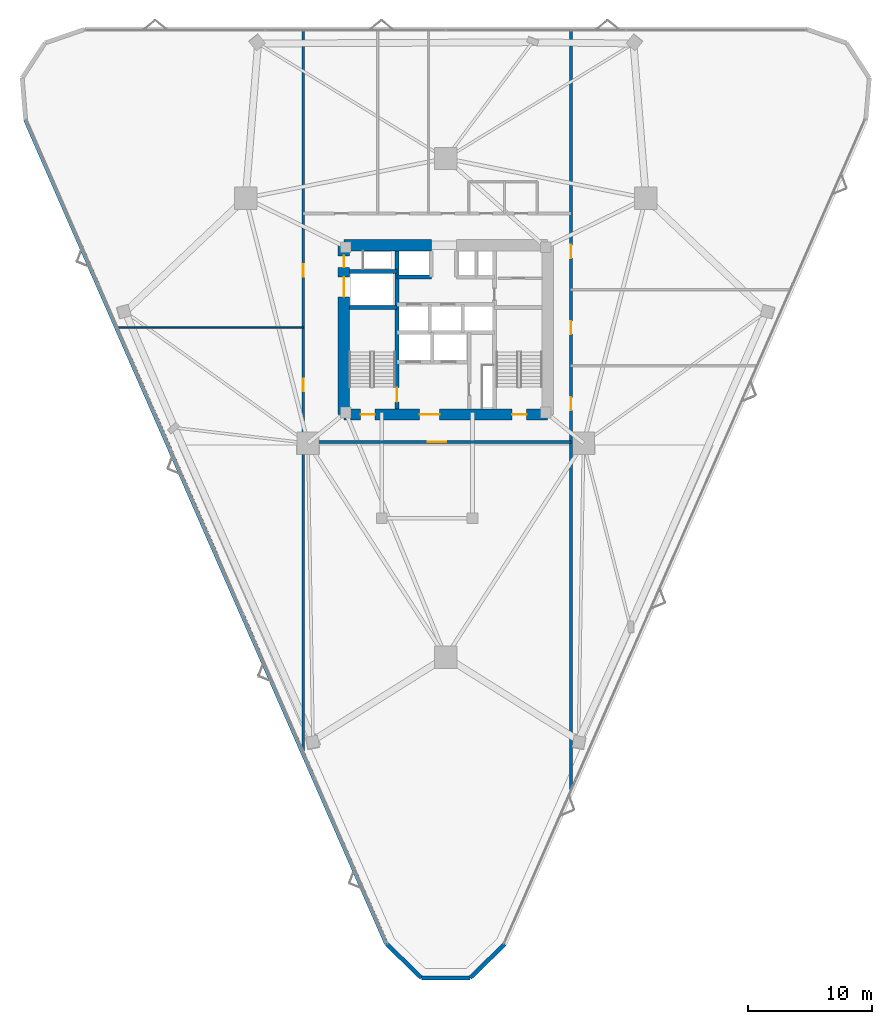
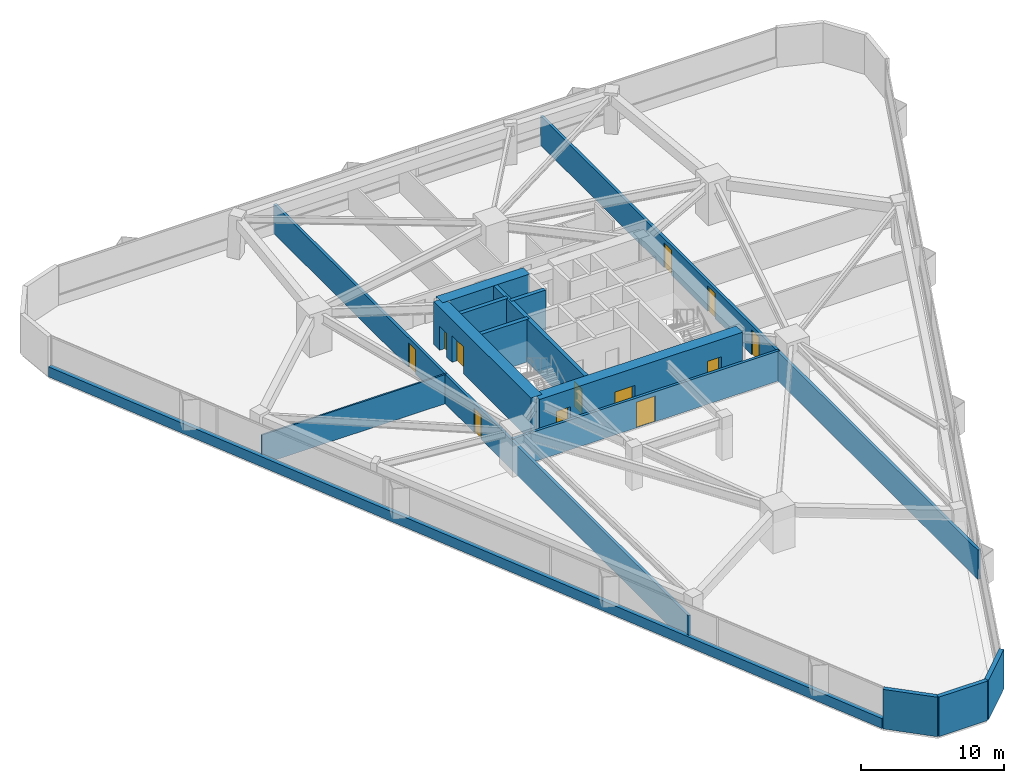
# One storey, part 17 of 21: 15 walls, 12 doors, 12 openings.
"""IFC4 building model written with IfcOpenShell, lengths in metres."""

from ifc_helpers import new_model, si_unit, direction, frame, frame_2d, origin, place, context, subcontext, project, spatial, rectangle, extrude, material, layer, layer_set, type_object, element, fill, save


model = new_model("IFC4")

# Units and contexts
model_context = context("Model", 3, precision=1e-05, world=origin(), true_north=direction((0.0, 1.0)))
body_context = subcontext(model_context, "Body", "Model", "MODEL_VIEW")
ifc_project = project(units=[si_unit("LENGTHUNIT", "METRE"), si_unit("AREAUNIT", "SQUARE_METRE"), si_unit("VOLUMEUNIT", "CUBIC_METRE"), si_unit("PLANEANGLEUNIT", "RADIAN"), si_unit("MASSUNIT", "GRAM", prefix="KILO")], contexts=[model_context])

# Site, building, storey
site_placement = place(None, origin())
site = spatial("IfcSite", under=ifc_project, at=site_placement, CompositionType="ELEMENT")
building_placement = place(site_placement, origin())
building = spatial("IfcBuilding", under=site, at=building_placement, Name="Talyreon Biosciences Tower", CompositionType="ELEMENT")
storey_placement = place(building_placement, frame((0.0, 0.0, 33.75)))
storey = spatial("IfcBuildingStorey", under=building, at=storey_placement, Name="L08", CompositionType="ELEMENT", Elevation=33.75)

# Wall, opening, door
ifc_material_1 = material(Name="Concrete C50/60", Category="concrete")
ifc_layer_1 = layer(ifc_material_1, 0.320068359375)
ifc_layer_set_1 = layer_set([ifc_layer_1], Name="Concrete C50/60")
wall_type_1 = type_object("IfcWallType", Name="CoreShearWall_320", PredefinedType="SHEAR", material=ifc_layer_set_1)
wall_1_placement = place(storey_placement, frame((62.090087890625, 61.64990234375, 0.0), z_axis=(0.0, 0.0, 1.0), x_axis=(0.0, 1.0, 0.0)))
wall_1 = element("IfcWall", 1, at=wall_1_placement, inside=storey, type_object=wall_type_1, Name="L08 Core Shaft Wall SW1E", PredefinedType="SHEAR", context=body_context, shape_type="SweptSolid", body=[
    extrude(rectangle(XDim=12.7001953125, YDim=0.320068359375, at=frame_2d((6.35009765625, 0.0))), origin(), (0.0, 0.0, 1.0), 3.64990234375),
])
opening_1_placement = place(wall_1_placement, frame((0.550048828125, 0.0, 0.0)))
opening_1 = element("IfcOpeningElement", 2, at=opening_1_placement, cuts=wall_1, Name="Opening DR-L08-FF-ST1", PredefinedType="OPENING", context=body_context, shape_type="SweptSolid", body=[
    extrude(rectangle(XDim=1.14990234375, YDim=2.14990234375, at=frame_2d((0.574951171875, 1.074951171875))), frame((0.0, 0.169921875, 0.0), z_axis=(0.0, -1.0, 0.0), x_axis=(1.0, 0.0, 0.0)), (0.0, 0.0, 1.0), 0.340087890625),
])
ifc_material_2 = material(Name="Painted steel fire door", Category="steel")
door_type_1 = type_object("IfcDoorType", Name="StairShaftFireDoor_1150x2150", OperationType="NOTDEFINED", PredefinedType="DOOR", material=ifc_material_2)
door_1_placement = place(opening_1_placement, origin())
door_1 = element("IfcDoor", 3, at=door_1_placement, inside=storey, type_object=door_type_1, Name="L08 Core Door DR-L08-FF-ST1", OperationType="SINGLE_SWING_LEFT", OverallHeight=2.14990234375, OverallWidth=1.14990234375, PredefinedType="DOOR", context=body_context, shape_type="SweptSolid", body=[
    extrude(rectangle(XDim=1.14990234375, YDim=2.14990234375, at=frame_2d((0.574951171875, 1.074951171875))), frame((0.0, 0.02490234375, 0.0), z_axis=(0.0, -1.0, 0.0), x_axis=(1.0, 0.0, 0.0)), (0.0, 0.0, 1.0), 0.050048828125),
])
fill(opening_1, door_1)

# Walls
for number, where, z_axis, x_axis, name in (
    (4, (58.25, 69.81005859375, 0.0), (0.0, 0.0, 1.0), (1.0, 0.0, 0.0), "L08 Core Shaft Wall SW1N"),
    (5, (58.25, 72.699951171875, 0.0), (0.0, 0.0, 1.0), (1.0, 0.0, 0.0), "L08 Core Shaft Wall SWGLN"),
):
    element("IfcWall", number, at=place(storey_placement, frame(where, z_axis=z_axis, x_axis=x_axis)), inside=storey, type_object=wall_type_1, Name=name, PredefinedType="SHEAR", context=body_context, shape_type="SweptSolid", body=[
        extrude(rectangle(XDim=3.840087890625, YDim=0.320068359375, at=frame_2d((1.919921875, 0.0))), origin(), (0.0, 0.0, 1.0), 3.64990234375),
    ])
wall_2_placement = place(storey_placement, frame((62.090087890625, 72.25, 0.0), z_axis=(0.0, 0.0, 1.0), x_axis=(1.0, 0.0, 0.0)))
element("IfcWall", 6, at=wall_2_placement, inside=storey, type_object=wall_type_1, Name="L08 Core Shaft Wall SWNPW", PredefinedType="SHEAR", context=body_context, shape_type="SweptSolid", body=[
    extrude(rectangle(XDim=2.760009765625, YDim=0.320068359375, at=frame_2d((1.3798828125, 0.0))), origin(), (0.0, 0.0, 1.0), 3.64990234375),
])

# Wall, openings, doors
ifc_material_3 = material(Name="Concrete C60/75", Category="concrete")
ifc_layer_2 = layer(ifc_material_3, 0.89990234375)
ifc_layer_set_2 = layer_set([ifc_layer_2], Name="Concrete C60/75")
wall_type_2 = type_object("IfcWallType", Name="CoreShearWall_900", PredefinedType="SHEAR", material=ifc_layer_set_2)
wall_3_placement = place(storey_placement, frame((57.800048828125, 61.199951171875, 0.0), z_axis=(0.0, 0.0, 1.0), x_axis=(1.0, 0.0, 0.0)))
wall_3 = element("IfcWall", 7, at=wall_3_placement, inside=storey, type_object=wall_type_2, Name="L08 Core Shear Wall S", PredefinedType="SHEAR", context=body_context, shape_type="SweptSolid", body=[
    extrude(rectangle(XDim=16.39990234375, YDim=0.89990234375, at=frame_2d((8.199951171875, 0.0))), origin(), (0.0, 0.0, 1.0), 3.64990234375),
])
opening_2_placement = place(wall_3_placement, frame((1.35009765625, 0.0, 0.0)))
opening_2 = element("IfcOpeningElement", 8, at=opening_2_placement, cuts=wall_3, Name="Opening DR-L08-ST1", PredefinedType="OPENING", context=body_context, shape_type="SweptSolid", body=[
    extrude(rectangle(XDim=1.14990234375, YDim=2.14990234375, at=frame_2d((0.574951171875, 1.074951171875))), frame((0.0, 0.4599609375, 0.0), z_axis=(0.0, -1.0, 0.0), x_axis=(1.0, 0.0, 0.0)), (0.0, 0.0, 1.0), 0.919921875),
])
opening_3_placement = place(wall_3_placement, frame((6.10009765625, 0.0, 0.0)))
opening_3 = element("IfcOpeningElement", 9, at=opening_3_placement, cuts=wall_3, Name="Opening DR-L08-FFL", PredefinedType="OPENING", context=body_context, shape_type="SweptSolid", body=[
    extrude(rectangle(XDim=1.60009765625, YDim=2.14990234375, at=frame_2d((0.800048828125, 1.074951171875))), frame((0.0, 0.4599609375, 0.0), z_axis=(0.0, -1.0, 0.0), x_axis=(1.0, 0.0, 0.0)), (0.0, 0.0, 1.0), 0.919921875),
])
opening_4_placement = place(wall_3_placement, frame((13.550048828125, 0.0, 0.0)))
opening_4 = element("IfcOpeningElement", 10, at=opening_4_placement, cuts=wall_3, Name="Opening DR-L08-ST2", PredefinedType="OPENING", context=body_context, shape_type="SweptSolid", body=[
    extrude(rectangle(XDim=1.14990234375, YDim=2.14990234375, at=frame_2d((0.574951171875, 1.074951171875))), frame((0.0, 0.4599609375, 0.0), z_axis=(0.0, -1.0, 0.0), x_axis=(1.0, 0.0, 0.0)), (0.0, 0.0, 1.0), 0.919921875),
])
ifc_material_4 = material(Name="Painted steel smoke-seal fire door", Category="steel")
door_type_2 = type_object("IfcDoorType", Name="FirefightingLobbyDoubleDoor_1600x2150", OperationType="DOUBLE_DOOR_SINGLE_SWING", PredefinedType="DOOR", material=ifc_material_4)
door_2_placement = place(opening_3_placement, origin())
door_2 = element("IfcDoor", 11, at=door_2_placement, inside=storey, type_object=door_type_2, Name="L08 Core Door DR-L08-FFL", OperationType="DOUBLE_DOOR_SINGLE_SWING", OverallHeight=2.14990234375, OverallWidth=1.60009765625, PredefinedType="DOOR", context=body_context, shape_type="SweptSolid", body=[
    extrude(rectangle(XDim=1.60009765625, YDim=2.14990234375, at=frame_2d((0.800048828125, 1.074951171875))), frame((0.0, 0.02490234375, 0.0), z_axis=(0.0, -1.0, 0.0), x_axis=(1.0, 0.0, 0.0)), (0.0, 0.0, 1.0), 0.050048828125),
])
fill(opening_3, door_2)
door_3_placement = place(opening_2_placement, origin())
door_3 = element("IfcDoor", 12, at=door_3_placement, inside=storey, type_object=door_type_1, Name="L08 Core Door DR-L08-ST1", OperationType="SINGLE_SWING_LEFT", OverallHeight=2.14990234375, OverallWidth=1.14990234375, PredefinedType="DOOR", context=body_context, shape_type="SweptSolid", body=[
    extrude(rectangle(XDim=1.14990234375, YDim=2.14990234375, at=frame_2d((0.574951171875, 1.074951171875))), frame((0.0, 0.02490234375, 0.0), z_axis=(0.0, -1.0, 0.0), x_axis=(1.0, 0.0, 0.0)), (0.0, 0.0, 1.0), 0.050048828125),
])
fill(opening_2, door_3)
door_4_placement = place(opening_4_placement, origin())
door_4 = element("IfcDoor", 13, at=door_4_placement, inside=storey, type_object=door_type_1, Name="L08 Core Door DR-L08-ST2", OperationType="SINGLE_SWING_RIGHT", OverallHeight=2.14990234375, OverallWidth=1.14990234375, PredefinedType="DOOR", context=body_context, shape_type="SweptSolid", body=[
    extrude(rectangle(XDim=1.14990234375, YDim=2.14990234375, at=frame_2d((0.574951171875, 1.074951171875))), frame((0.0, 0.02490234375, 0.0), z_axis=(0.0, -1.0, 0.0), x_axis=(1.0, 0.0, 0.0)), (0.0, 0.0, 1.0), 0.050048828125),
])
fill(opening_4, door_4)

# Wall
wall_4_placement = place(storey_placement, frame((64.85009765625, 74.800048828125, 0.0), z_axis=(0.0, 0.0, 1.0), x_axis=(-1.0, 0.0, 0.0)))
element("IfcWall", 14, at=wall_4_placement, inside=storey, type_object=wall_type_2, Name="L08 Core Shear Wall NW", PredefinedType="SHEAR", context=body_context, shape_type="SweptSolid", body=[
    extrude(rectangle(XDim=7.050048828125, YDim=0.89990234375, at=frame_2d((3.52490234375, 0.0))), origin(), (0.0, 0.0, 1.0), 3.64990234375),
])

# Wall, openings, doors
wall_5_placement = place(storey_placement, frame((57.800048828125, 74.800048828125, 0.0), z_axis=(0.0, 0.0, 1.0), x_axis=(0.0, -1.0, 0.0)))
wall_5 = element("IfcWall", 15, at=wall_5_placement, inside=storey, type_object=wall_type_2, Name="L08 Core Shear Wall W", PredefinedType="SHEAR", context=body_context, shape_type="SweptSolid", body=[
    extrude(rectangle(XDim=13.60009765625, YDim=0.89990234375, at=frame_2d((6.800048828125, 0.0))), origin(), (0.0, 0.0, 1.0), 3.64990234375),
])
opening_5_placement = place(wall_5_placement, frame((0.85009765625, 0.0, 0.0)))
opening_5 = element("IfcOpeningElement", 16, at=opening_5_placement, cuts=wall_5, Name="Opening DR-L08-RSW", PredefinedType="OPENING", context=body_context, shape_type="SweptSolid", body=[
    extrude(rectangle(XDim=0.919921875, YDim=2.050048828125, at=frame_2d((0.4599609375, 1.02490234375))), frame((0.0, 0.4599609375, 0.0), z_axis=(0.0, -1.0, 0.0), x_axis=(1.0, 0.0, 0.0)), (0.0, 0.0, 1.0), 0.919921875),
])
opening_6_placement = place(wall_5_placement, frame((2.550048828125, 0.0, 0.0)))
opening_6 = element("IfcOpeningElement", 17, at=opening_6_placement, cuts=wall_5, Name="Opening LD-L08-GL1", PredefinedType="OPENING", context=body_context, shape_type="SweptSolid", body=[
    extrude(rectangle(XDim=1.60009765625, YDim=2.300048828125, at=frame_2d((0.800048828125, 1.14990234375))), frame((0.0, 0.4599609375, 0.0), z_axis=(0.0, -1.0, 0.0), x_axis=(1.0, 0.0, 0.0)), (0.0, 0.0, 1.0), 0.919921875),
])
ifc_material_5 = material(Name="Heavy-duty stainless-steel goods lift door", Category="steel")
door_type_3 = type_object("IfcDoorType", Name="GoodsLiftSlidingDoor_1600x2300", OperationType="DOUBLE_DOOR_SLIDING", PredefinedType="DOOR", material=ifc_material_5)
door_5_placement = place(opening_6_placement, origin())
door_5 = element("IfcDoor", 18, at=door_5_placement, inside=storey, type_object=door_type_3, Name="L08 Core Door LD-L08-GL1", OperationType="DOUBLE_DOOR_SLIDING", OverallHeight=2.300048828125, OverallWidth=1.60009765625, PredefinedType="DOOR", context=body_context, shape_type="SweptSolid", body=[
    extrude(rectangle(XDim=1.60009765625, YDim=2.300048828125, at=frame_2d((0.800048828125, 1.14990234375))), frame((0.0, 0.02490234375, 0.0), z_axis=(0.0, -1.0, 0.0), x_axis=(1.0, 0.0, 0.0)), (0.0, 0.0, 1.0), 0.050048828125),
])
fill(opening_6, door_5)
ifc_material_6 = material(Name="Painted steel fire-rated riser door", Category="steel")
door_type_4 = type_object("IfcDoorType", Name="RiserPlantAccessDoor_920x2050", OperationType="NOTDEFINED", PredefinedType="DOOR", material=ifc_material_6)
door_6_placement = place(opening_5_placement, origin())
door_6 = element("IfcDoor", 19, at=door_6_placement, inside=storey, type_object=door_type_4, Name="L08 Core Door DR-L08-RSW", OperationType="SINGLE_SWING_LEFT", OverallHeight=2.050048828125, OverallWidth=0.919921875, PredefinedType="DOOR", context=body_context, shape_type="SweptSolid", body=[
    extrude(rectangle(XDim=0.919921875, YDim=2.050048828125, at=frame_2d((0.4599609375, 1.02490234375))), frame((0.0, 0.02490234375, 0.0), z_axis=(0.0, -1.0, 0.0), x_axis=(1.0, 0.0, 0.0)), (0.0, 0.0, 1.0), 0.050048828125),
])
fill(opening_5, door_6)

# Wall, opening, door
ifc_material_7 = material(Name="Gypsum fireboard acoustic stud", Category="gypsum")
ifc_layer_3 = layer(ifc_material_7, 0.219970703125)
ifc_layer_set_3 = layer_set([ifc_layer_3], Name="Gypsum fireboard acoustic stud")
wall_type_3 = type_object("IfcWallType", Name="CorridorRatedPartition_220", PredefinedType="PARTITIONING", material=ifc_layer_set_3)
wall_6_placement = place(storey_placement, frame((54.530029296875, 58.97998046875, 0.0), z_axis=(0.0, 0.0, 1.0), x_axis=(1.0, 0.0, 0.0)))
wall_6 = element("IfcWall", 20, at=wall_6_placement, inside=storey, type_object=wall_type_3, Name="L08 Interior Wall IW-L08-COR-S", PredefinedType="PARTITIONING", context=body_context, shape_type="SweptSolid", body=[
    extrude(rectangle(XDim=21.5400390625, YDim=0.219970703125, at=frame_2d((10.77001953125, 0.0))), origin(), (0.0, 0.0, 1.0), 2.554931640625),
])
opening_7_placement = place(wall_6_placement, frame((10.02001953125, 0.0, 0.0)))
opening_7 = element("IfcOpeningElement", 21, at=opening_7_placement, cuts=wall_6, Name="Opening DR-L08-S1A", PredefinedType="OPENING", context=body_context, shape_type="SweptSolid", body=[
    extrude(rectangle(XDim=1.5, YDim=2.199951171875, at=frame_2d((0.75, 1.10009765625))), frame((0.0, 0.119873046875, 0.0), z_axis=(0.0, -1.0, 0.0), x_axis=(1.0, 0.0, 0.0)), (0.0, 0.0, 1.0), 0.239990234375),
])
ifc_material_8 = material(Name="Vision-panel steel laboratory fire door", Category="steel")
door_type_5 = type_object("IfcDoorType", Name="WetLabDoubleLeafDoor_1500x2200", OperationType="DOUBLE_DOOR_SINGLE_SWING", PredefinedType="DOOR", material=ifc_material_8)
door_7_placement = place(opening_7_placement, origin())
door_7 = element("IfcDoor", 22, at=door_7_placement, inside=storey, type_object=door_type_5, Name="L08 Interior Door DR-L08-S1A", OperationType="DOUBLE_DOOR_SINGLE_SWING", OverallHeight=2.199951171875, OverallWidth=1.5, PredefinedType="DOOR", context=body_context, shape_type="SweptSolid", body=[
    extrude(rectangle(XDim=1.5, YDim=2.199951171875, at=frame_2d((0.75, 1.10009765625))), frame((0.0, 0.02490234375, 0.0), z_axis=(0.0, -1.0, 0.0), x_axis=(1.0, 0.0, 0.0)), (0.0, 0.0, 1.0), 0.050048828125),
])
fill(opening_7, door_7)

# Wall, openings, doors
wall_7_placement = place(storey_placement, frame((54.530029296875, 34.11328125, 0.0), z_axis=(0.0, 0.0, 1.0), x_axis=(0.0, 1.0, 0.0)))
wall_7 = element("IfcWall", 23, at=wall_7_placement, inside=storey, type_object=wall_type_3, Name="L08 Interior Wall IW-L08-COR-W", PredefinedType="PARTITIONING", context=body_context, shape_type="SweptSolid", body=[
    extrude(rectangle(XDim=57.9892578125, YDim=0.219970703125, at=frame_2d((28.99462890625, 0.0))), origin(), (0.0, 0.0, 1.0), 2.5048828125),
])
opening_8_placement = place(wall_7_placement, frame((28.964111328125, 0.0, 0.0)))
opening_8 = element("IfcOpeningElement", 24, at=opening_8_placement, cuts=wall_7, Name="Opening DR-L08-W1A", PredefinedType="OPENING", context=body_context, shape_type="SweptSolid", body=[
    extrude(rectangle(XDim=1.0, YDim=2.10009765625, at=frame_2d((0.5, 1.050048828125))), frame((0.0, 0.119873046875, 0.0), z_axis=(0.0, -1.0, 0.0), x_axis=(1.0, 0.0, 0.0)), (0.0, 0.0, 1.0), 0.239990234375),
])
opening_9_placement = place(wall_7_placement, frame((38.158935546875, 0.0, 0.0)))
opening_9 = element("IfcOpeningElement", 25, at=opening_9_placement, cuts=wall_7, Name="Opening DR-L08-W2A", PredefinedType="OPENING", context=body_context, shape_type="SweptSolid", body=[
    extrude(rectangle(XDim=1.0, YDim=2.10009765625, at=frame_2d((0.5, 1.050048828125))), frame((0.0, 0.119873046875, 0.0), z_axis=(0.0, -1.0, 0.0), x_axis=(1.0, 0.0, 0.0)), (0.0, 0.0, 1.0), 0.239990234375),
])
ifc_material_9 = material(Name="Acoustic oak veneer office door", Category="wood")
door_type_6 = type_object("IfcDoorType", Name="WriteupOfficeDoor_1000x2100", OperationType="NOTDEFINED", PredefinedType="DOOR", material=ifc_material_9)
door_8_placement = place(opening_8_placement, origin())
door_8 = element("IfcDoor", 26, at=door_8_placement, inside=storey, type_object=door_type_6, Name="L08 Interior Door DR-L08-W1A", OperationType="SINGLE_SWING_RIGHT", OverallHeight=2.10009765625, OverallWidth=1.0, PredefinedType="DOOR", context=body_context, shape_type="SweptSolid", body=[
    extrude(rectangle(XDim=1.0, YDim=2.10009765625, at=frame_2d((0.5, 1.050048828125))), frame((0.0, 0.02490234375, 0.0), z_axis=(0.0, -1.0, 0.0), x_axis=(1.0, 0.0, 0.0)), (0.0, 0.0, 1.0), 0.050048828125),
])
fill(opening_8, door_8)
door_9_placement = place(opening_9_placement, origin())
door_9 = element("IfcDoor", 27, at=door_9_placement, inside=storey, type_object=door_type_6, Name="L08 Interior Door DR-L08-W2A", OperationType="SINGLE_SWING_LEFT", OverallHeight=2.10009765625, OverallWidth=1.0, PredefinedType="DOOR", context=body_context, shape_type="SweptSolid", body=[
    extrude(rectangle(XDim=1.0, YDim=2.10009765625, at=frame_2d((0.5, 1.050048828125))), frame((0.0, 0.02490234375, 0.0), z_axis=(0.0, -1.0, 0.0), x_axis=(1.0, 0.0, 0.0)), (0.0, 0.0, 1.0), 0.050048828125),
])
fill(opening_9, door_9)

wall_8_placement = place(storey_placement, frame((76.070068359375, 30.9169921875, 0.0), z_axis=(0.0, 0.0, 1.0), x_axis=(0.0, 1.0, 0.0)))
wall_8 = element("IfcWall", 28, at=wall_8_placement, inside=storey, type_object=wall_type_3, Name="L08 Interior Wall IW-L08-COR-E", PredefinedType="PARTITIONING", context=body_context, shape_type="SweptSolid", body=[
    extrude(rectangle(XDim=61.185546875, YDim=0.219970703125, at=frame_2d((30.5927734375, 0.0))), origin(), (0.0, 0.0, 1.0), 2.5048828125),
])
opening_10_placement = place(wall_8_placement, frame((30.60302734375, 0.0, 0.0)))
opening_10 = element("IfcOpeningElement", 29, at=opening_10_placement, cuts=wall_8, Name="Opening DR-L08-E1A", PredefinedType="OPENING", context=body_context, shape_type="SweptSolid", body=[
    extrude(rectangle(XDim=1.050048828125, YDim=2.14990234375, at=frame_2d((0.52490234375, 1.074951171875))), frame((0.0, 0.119873046875, 0.0), z_axis=(0.0, -1.0, 0.0), x_axis=(1.0, 0.0, 0.0)), (0.0, 0.0, 1.0), 0.239990234375),
])
opening_11_placement = place(wall_8_placement, frame((36.73291015625, 0.0, 0.0)))
opening_11 = element("IfcOpeningElement", 30, at=opening_11_placement, cuts=wall_8, Name="Opening DR-L08-E2A", PredefinedType="OPENING", context=body_context, shape_type="SweptSolid", body=[
    extrude(rectangle(XDim=1.050048828125, YDim=2.14990234375, at=frame_2d((0.52490234375, 1.074951171875))), frame((0.0, 0.119873046875, 0.0), z_axis=(0.0, -1.0, 0.0), x_axis=(1.0, 0.0, 0.0)), (0.0, 0.0, 1.0), 0.239990234375),
])
opening_12_placement = place(wall_8_placement, frame((42.863037109375, 0.0, 0.0)))
opening_12 = element("IfcOpeningElement", 31, at=opening_12_placement, cuts=wall_8, Name="Opening DR-L08-E3A", PredefinedType="OPENING", context=body_context, shape_type="SweptSolid", body=[
    extrude(rectangle(XDim=1.050048828125, YDim=2.14990234375, at=frame_2d((0.52490234375, 1.074951171875))), frame((0.0, 0.119873046875, 0.0), z_axis=(0.0, -1.0, 0.0), x_axis=(1.0, 0.0, 0.0)), (0.0, 0.0, 1.0), 0.239990234375),
])
ifc_material_10 = material(Name="Acoustic timber-core laboratory door", Category="wood")
door_type_7 = type_object("IfcDoorType", Name="DryLabSingleDoor_1050x2150", OperationType="NOTDEFINED", PredefinedType="DOOR", material=ifc_material_10)
door_10_placement = place(opening_10_placement, origin())
door_10 = element("IfcDoor", 32, at=door_10_placement, inside=storey, type_object=door_type_7, Name="L08 Interior Door DR-L08-E1A", OperationType="SINGLE_SWING_RIGHT", OverallHeight=2.14990234375, OverallWidth=1.050048828125, PredefinedType="DOOR", context=body_context, shape_type="SweptSolid", body=[
    extrude(rectangle(XDim=1.050048828125, YDim=2.14990234375, at=frame_2d((0.52490234375, 1.074951171875))), frame((0.0, 0.02490234375, 0.0), z_axis=(0.0, -1.0, 0.0), x_axis=(1.0, 0.0, 0.0)), (0.0, 0.0, 1.0), 0.050048828125),
])
fill(opening_10, door_10)
door_11_placement = place(opening_11_placement, origin())
door_11 = element("IfcDoor", 33, at=door_11_placement, inside=storey, type_object=door_type_7, Name="L08 Interior Door DR-L08-E2A", OperationType="SINGLE_SWING_LEFT", OverallHeight=2.14990234375, OverallWidth=1.050048828125, PredefinedType="DOOR", context=body_context, shape_type="SweptSolid", body=[
    extrude(rectangle(XDim=1.050048828125, YDim=2.14990234375, at=frame_2d((0.52490234375, 1.074951171875))), frame((0.0, 0.02490234375, 0.0), z_axis=(0.0, -1.0, 0.0), x_axis=(1.0, 0.0, 0.0)), (0.0, 0.0, 1.0), 0.050048828125),
])
fill(opening_11, door_11)
door_12_placement = place(opening_12_placement, origin())
door_12 = element("IfcDoor", 34, at=door_12_placement, inside=storey, type_object=door_type_7, Name="L08 Interior Door DR-L08-E3A", OperationType="SINGLE_SWING_RIGHT", OverallHeight=2.14990234375, OverallWidth=1.050048828125, PredefinedType="DOOR", context=body_context, shape_type="SweptSolid", body=[
    extrude(rectangle(XDim=1.050048828125, YDim=2.14990234375, at=frame_2d((0.52490234375, 1.074951171875))), frame((0.0, 0.02490234375, 0.0), z_axis=(0.0, -1.0, 0.0), x_axis=(1.0, 0.0, 0.0)), (0.0, 0.0, 1.0), 0.050048828125),
])
fill(opening_12, door_12)

# Walls
ifc_material_11 = material(Name="Gypsum acoustic stud partition", Category="gypsum")
ifc_layer_4 = layer(ifc_material_11, 0.1298828125)
ifc_layer_set_4 = layer_set([ifc_layer_4], Name="Gypsum acoustic stud partition")
wall_type_4 = type_object("IfcWallType", Name="OfficeWriteupPartition_130", PredefinedType="PARTITIONING", material=ifc_layer_set_4)
wall_9_placement = place(storey_placement, frame((39.610107421875, 68.175048828125, 0.0), z_axis=(0.0, 0.0, 1.0), x_axis=(1.0, 0.0, 0.0)))
element("IfcWall", 35, at=wall_9_placement, inside=storey, type_object=wall_type_4, Name="L08 Interior Wall IW-L08-WDIV1", PredefinedType="PARTITIONING", context=body_context, shape_type="SweptSolid", body=[
    extrude(rectangle(XDim=14.919921875, YDim=0.1298828125, at=frame_2d((7.4599609375, 0.0))), origin(), (0.0, 0.0, 1.0), 2.5048828125),
])
ifc_material_12 = material(Name="Precast concrete C45/55", Category="concrete")
ifc_layer_5 = layer(ifc_material_12, 0.340087890625)
ifc_layer_set_5 = layer_set([ifc_layer_5], Name="Precast concrete C45/55")
wall_type_5 = type_object("IfcWallType", Name="PrecastConcreteSpandrelWall_340", PredefinedType="STANDARD", material=ifc_layer_set_5)
wall_10_placement = place(storey_placement, frame((61.23681640625, 18.589599609375, 0.0), z_axis=(0.0, 0.0, 1.0), x_axis=(-0.40122003264, 0.915981705826, 0.0)))
element("IfcWall", 36, at=wall_10_placement, inside=storey, type_object=wall_type_5, Name="L08 Expressed Concrete Sill Wall 00", PredefinedType="STANDARD", context=body_context, shape_type="SweptSolid", body=[
    extrude(rectangle(XDim=72.39404296875, YDim=0.340087890625, at=frame_2d((36.197021484375, 0.0))), origin(), (0.0, 0.0, 1.0), 0.85009765625),
])
wall_11_placement = place(storey_placement, frame((70.76318359375, 18.589599609375, 0.0), z_axis=(0.0, 0.0, 1.0), x_axis=(-0.716582721765, -0.697502116748, 0.0)))
element("IfcWall", 37, at=wall_11_placement, inside=storey, type_object=wall_type_5, Name="L08 Rounded-Corner Concrete Pier 09", PredefinedType="STANDARD", context=body_context, shape_type="SweptSolid", body=[
    extrude(rectangle(XDim=3.915283203125, YDim=0.340087890625, at=frame_2d((1.95751953125, 0.0))), origin(), (0.0, 0.0, 1.0), 3.375),
])
wall_12_placement = place(storey_placement, frame((67.95751953125, 15.858642578125, 0.0), z_axis=(0.0, 0.0, 1.0), x_axis=(-1.0, 0.0, 0.0)))
element("IfcWall", 38, at=wall_12_placement, inside=storey, type_object=wall_type_5, Name="L08 Rounded-Corner Concrete Pier 10", PredefinedType="STANDARD", context=body_context, shape_type="SweptSolid", body=[
    extrude(rectangle(XDim=3.9150390625, YDim=0.340087890625, at=frame_2d((1.95751953125, 0.0))), origin(), (0.0, 0.0, 1.0), 3.375),
])
wall_13_placement = place(storey_placement, frame((64.04248046875, 15.858642578125, 0.0), z_axis=(0.0, 0.0, 1.0), x_axis=(-0.716582721765, 0.697502116748, 0.0)))
element("IfcWall", 39, at=wall_13_placement, inside=storey, type_object=wall_type_5, Name="L08 Rounded-Corner Concrete Pier 11", PredefinedType="STANDARD", context=body_context, shape_type="SweptSolid", body=[
    extrude(rectangle(XDim=3.915283203125, YDim=0.340087890625, at=frame_2d((1.95751953125, 0.0))), origin(), (0.0, 0.0, 1.0), 3.375),
])

save(model, "model.ifc")
